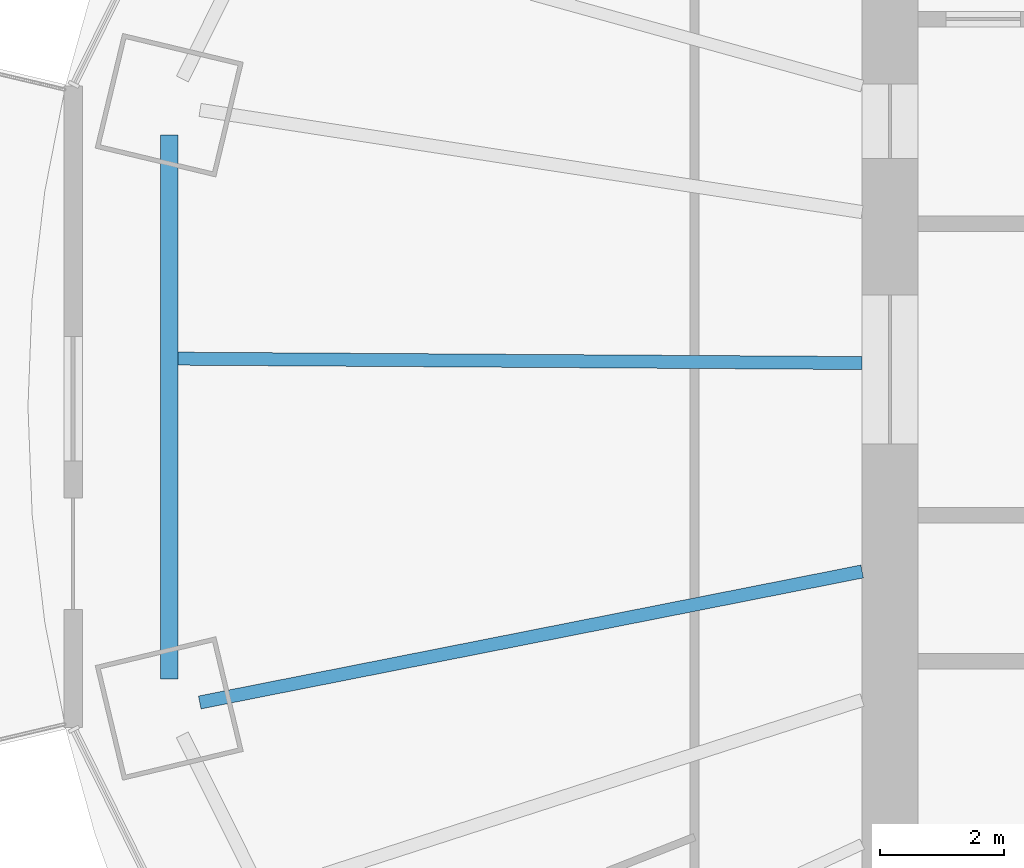
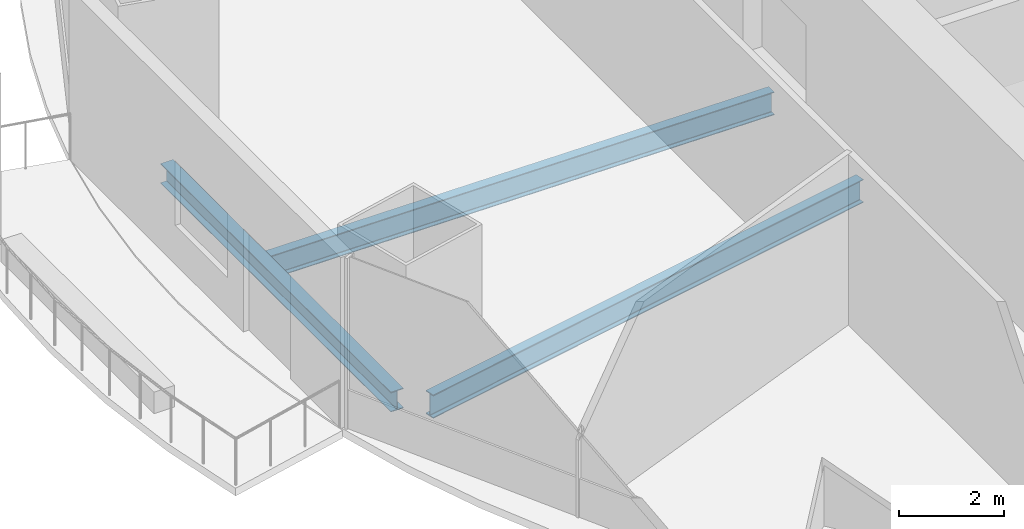
# One storey, part 3 of 21: 3 beams.
"""IFC4 building model written with IfcOpenShell, lengths in metres."""

from ifc_helpers import new_model, si_unit, direction, frame, origin, origin_2d, place, context, subcontext, project, spatial, i_section, extrude, material, material_profile, profile_set, type_object, element, save


model = new_model("IFC4")

# Units and contexts
model_context = context("Model", 3, precision=1e-05, world=origin(), true_north=direction((0.0, 1.0)))
body_context = subcontext(model_context, "Body", "Model", "MODEL_VIEW")
ifc_project = project(units=[si_unit("LENGTHUNIT", "METRE"), si_unit("AREAUNIT", "SQUARE_METRE"), si_unit("VOLUMEUNIT", "CUBIC_METRE"), si_unit("PLANEANGLEUNIT", "RADIAN"), si_unit("MASSUNIT", "GRAM", prefix="KILO")], contexts=[model_context])

# Site, building, storey
site_placement = place(None, origin())
site = spatial("IfcSite", under=ifc_project, at=site_placement, CompositionType="ELEMENT")
building_placement = place(site_placement, origin())
building = spatial("IfcBuilding", under=site, at=building_placement, Name="Marenthal Gate Tower", CompositionType="ELEMENT")
storey_placement = place(building_placement, frame((0.0, 0.0, 206.699951171875)))
storey = spatial("IfcBuildingStorey", under=building, at=storey_placement, Name="L45", CompositionType="ELEMENT", Elevation=206.699951171875)

# Beams
ifc_material_1 = material(Name="Steel S355", Category="steel")
ifc_material_profile_1 = material_profile(ifc_material_1, i_section(OverallWidth=0.279052734375, OverallDepth=0.4619140625, WebThickness=0.0107421875, FlangeThickness=0.017333984375, FilletRadius=0.010009765625, at=origin_2d()), Name="W460X113")
ifc_profile_set_1 = profile_set([ifc_material_profile_1], Name="Steel S355")
beam_type_1 = type_object("IfcBeamType", Name="W460X113 beam", PredefinedType="BEAM", material=ifc_profile_set_1)
beam_1_placement = place(storey_placement, frame((-27.61572265625, 3.78369140625, -0.410888671875), z_axis=(0.0, -1.0, 0.0), x_axis=(1.0, 0.0, 0.0)))
element("IfcBeam", 1, at=beam_1_placement, inside=storey, type_object=beam_type_1, Name="BM-L45-48", PredefinedType="BEAM", context=body_context, shape_type="SweptSolid", body=[
    extrude(i_section(OverallWidth=0.279052734375, OverallDepth=0.4619140625, WebThickness=0.0107421875, FlangeThickness=0.017333984375, FilletRadius=0.010009765625, at=origin_2d()), origin(), (0.0, 0.0, 1.0), 8.767578125),
])
ifc_material_2 = material(Name="Steel S355", Category="steel")
ifc_material_profile_2 = material_profile(ifc_material_2, i_section(OverallWidth=0.2099609375, OverallDepth=0.535888671875, WebThickness=0.010986328125, FlangeThickness=0.017333984375, FilletRadius=0.0126953125, at=origin_2d()), Name="W530X101")
ifc_profile_set_2 = profile_set([ifc_material_profile_2], Name="Steel S355")
beam_type_2 = type_object("IfcBeamType", Name="W530X101 beam", PredefinedType="BEAM", material=ifc_profile_set_2)
beam_2_placement = place(storey_placement, frame((-27.476318359375, 0.1767578125, -0.447998046875), z_axis=(0.999979385739, -0.006420910944, 0.0), x_axis=(0.006420910944, 0.999979385739, 0.0)))
element("IfcBeam", 2, at=beam_2_placement, inside=storey, type_object=beam_type_2, Name="BM-L45-28", PredefinedType="BEAM", context=body_context, shape_type="SweptSolid", body=[
    extrude(i_section(OverallWidth=0.2099609375, OverallDepth=0.535888671875, WebThickness=0.010986328125, FlangeThickness=0.017333984375, FilletRadius=0.0126953125, at=origin_2d()), origin(), (0.0, 0.0, 1.0), 11.026611328125),
])
ifc_material_3 = material(Name="Steel S355", Category="steel")
ifc_material_profile_3 = material_profile(ifc_material_3, i_section(OverallWidth=0.2119140625, OverallDepth=0.5439453125, WebThickness=0.01318359375, FlangeThickness=0.021240234375, FilletRadius=0.0126953125, at=origin_2d()), Name="W530X123")
ifc_profile_set_3 = profile_set([ifc_material_profile_3], Name="Steel S355")
beam_type_3 = type_object("IfcBeamType", Name="W530X123 beam", PredefinedType="BEAM", material=ifc_profile_set_3)
beam_3_placement = place(storey_placement, frame((-27.12451171875, -5.363525390625, -0.451904296875), z_axis=(0.981003804507, 0.193988493328, 0.0), x_axis=(-0.193988493328, 0.981003804507, 0.0)))
element("IfcBeam", 3, at=beam_3_placement, inside=storey, type_object=beam_type_3, Name="BM-L45-09", PredefinedType="BEAM", context=body_context, shape_type="SweptSolid", body=[
    extrude(i_section(OverallWidth=0.2119140625, OverallDepth=0.5439453125, WebThickness=0.01318359375, FlangeThickness=0.021240234375, FilletRadius=0.0126953125, at=origin_2d()), origin(), (0.0, 0.0, 1.0), 10.88134765625),
])

save(model, "model.ifc")
